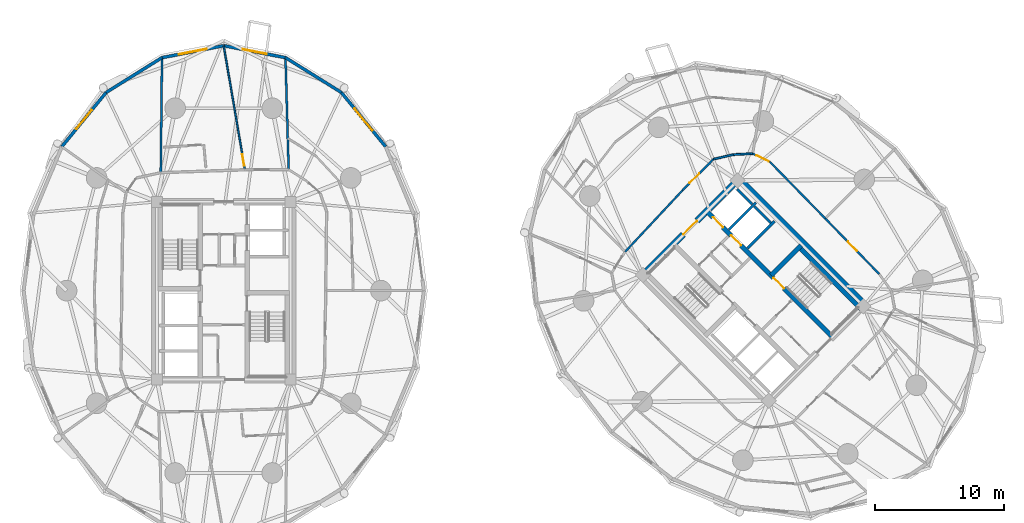
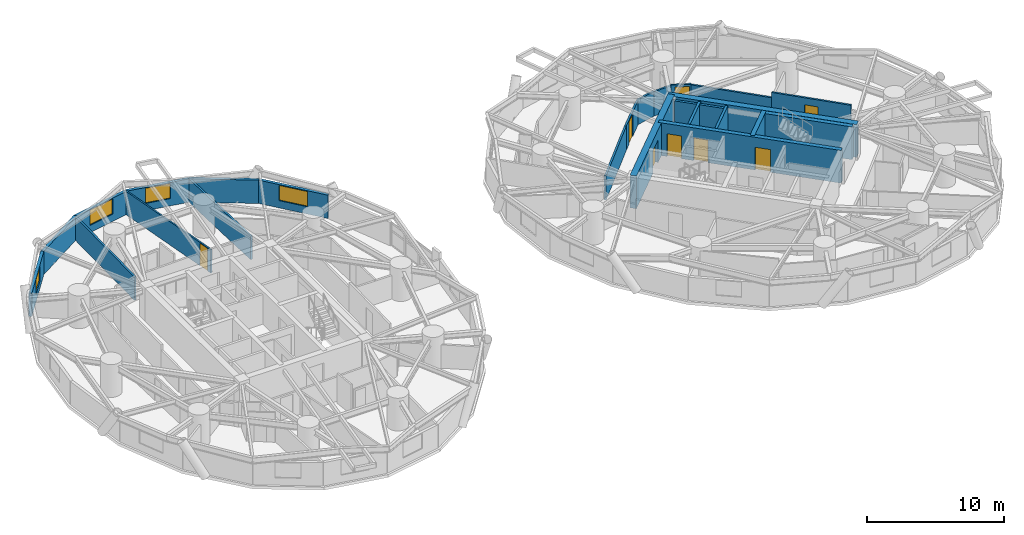
# One storey, part 14 of 18: 25 walls, 8 doors, 4 windows, 12 openings.
"""IFC4 building model written with IfcOpenShell, lengths in metres."""

from ifc_helpers import new_model, si_unit, direction, frame, frame_2d, origin, place, context, subcontext, project, spatial, rectangle, extrude, source, transform, mapped, material, layer, layer_set, type_object, element, fill, save


model = new_model("IFC4")

# Units and contexts
model_context = context("Model", 3, precision=1e-05, world=origin(), true_north=direction((0.0, 1.0)))
body_context = subcontext(model_context, "Body", "Model", "MODEL_VIEW")
ifc_project = project(units=[si_unit("LENGTHUNIT", "METRE"), si_unit("AREAUNIT", "SQUARE_METRE"), si_unit("VOLUMEUNIT", "CUBIC_METRE"), si_unit("PLANEANGLEUNIT", "RADIAN"), si_unit("MASSUNIT", "GRAM", prefix="KILO")], contexts=[model_context])

# Site, building, storey
site_placement = place(None, origin())
site = spatial("IfcSite", under=ifc_project, at=site_placement, CompositionType="ELEMENT")
building_placement = place(site_placement, origin())
building = spatial("IfcBuilding", under=site, at=building_placement, Name="Cununo Teusaquillo Station Towers", CompositionType="ELEMENT")
storey_placement = place(building_placement, frame((0.0, 0.0, 45.280029296875)))
storey = spatial("IfcBuildingStorey", under=building, at=storey_placement, Name="L13", CompositionType="ELEMENT", Elevation=45.280029296875)

# Walls
ifc_material_1 = material(Name="Concrete C50/60", Category="concrete")
ifc_layer_1 = layer(ifc_material_1, 0.199951171875)
ifc_layer_set_1 = layer_set([ifc_layer_1], Name="Concrete C50/60")
wall_type_1 = type_object("IfcWallType", Name="WL-CORE-200", PredefinedType="SHEAR", material=ifc_layer_set_1)
wall_1_placement = place(storey_placement, frame((57.0615234375, 27.781005859375, 0.0), z_axis=(0.0, 0.0, 1.0), x_axis=(0.707106781187, 0.707106781187, 0.0)))
element("IfcWall", 1, at=wall_1_placement, inside=storey, type_object=wall_type_1, Name="L13 Tower B Low-Rise Lift Hoistway South Shear Wall", PredefinedType="SHEAR", context=body_context, shape_type="SweptSolid", body=[
    extrude(rectangle(XDim=2.969970703125, YDim=0.199951171875, at=frame_2d((1.48486328125, 0.0))), origin(), (0.0, 0.0, 1.0), 2.909912109375),
])
wall_2_placement = place(storey_placement, frame((55.615478515625, 29.22705078125, 0.0), z_axis=(0.0, 0.0, 1.0), x_axis=(0.707147878904, 0.70706568108, 0.0)))
element("IfcWall", 2, at=wall_2_placement, inside=storey, type_object=wall_type_1, Name="L13 Tower B Low-Rise Lift Hoistway Divider Shear Wall", PredefinedType="SHEAR", context=body_context, shape_type="SweptSolid", body=[
    extrude(rectangle(XDim=2.97021484375, YDim=0.199951171875, at=frame_2d((1.485107421875, 0.0))), origin(), (0.0, 0.0, 1.0), 2.909912109375),
])
wall_3_placement = place(storey_placement, frame((58.86474609375, 29.75390625, 0.0), z_axis=(0.0, 0.0, 1.0), x_axis=(-0.707174411312, 0.707039144592, 0.0)))
element("IfcWall", 3, at=wall_3_placement, inside=storey, type_object=wall_type_1, Name="L13 Tower B Low-Rise Lift 1 Shaft Rear Shear Wall", PredefinedType="SHEAR", context=body_context, shape_type="SweptSolid", body=[
    extrude(rectangle(XDim=1.804931640625, YDim=0.199951171875, at=frame_2d((0.90234375, 0.0))), origin(), (0.0, 0.0, 1.0), 2.909912109375),
])
wall_4_placement = place(storey_placement, frame((57.418701171875, 31.19970703125, 0.0), z_axis=(0.0, 0.0, 1.0), x_axis=(-0.707032117043, 0.707181437447, 0.0)))
element("IfcWall", 4, at=wall_4_placement, inside=storey, type_object=wall_type_1, Name="L13 Tower B Low-Rise Lift 2 Shaft Rear Shear Wall", PredefinedType="SHEAR", context=body_context, shape_type="SweptSolid", body=[
    extrude(rectangle(XDim=1.635009765625, YDim=0.199951171875, at=frame_2d((0.8173828125, 0.0))), origin(), (0.0, 0.0, 1.0), 2.909912109375),
])

# Wall, openings, doors
ifc_material_2 = material(Name="Concrete C50/60", Category="concrete")
ifc_layer_2 = layer(ifc_material_2, 0.35009765625)
ifc_layer_set_2 = layer_set([ifc_layer_2], Name="Concrete C50/60")
wall_type_2 = type_object("IfcWallType", Name="WL-CORE-350", PredefinedType="SHEAR", material=ifc_layer_set_2)
wall_5_placement = place(storey_placement, frame((63.662353515625, 20.904296875, 0.0), z_axis=(0.0, 0.0, 1.0), x_axis=(-0.707106781187, 0.707106781187, 0.0)))
wall_5 = element("IfcWall", 5, at=wall_5_placement, inside=storey, type_object=wall_type_2, Name="L13 Tower B Core Shear Wall IE", PredefinedType="SHEAR", context=body_context, shape_type="SweptSolid", body=[
    extrude(rectangle(XDim=13.800048828125, YDim=0.35009765625, at=frame_2d((6.89990234375, 0.0))), origin(), (0.0, 0.0, 1.0), 2.909912109375),
])
shared_shape_1 = source(origin(), body_context, "Body", "SweptSolid", [
    extrude(rectangle(XDim=1.10009765625, YDim=2.014892578125, at=frame_2d((0.550048828125, 1.00732421875))), frame((0.0, 0.18505859375, 0.0), z_axis=(0.0, -1.0, 0.0), x_axis=(1.0, 0.0, 0.0)), (0.0, 0.0, 1.0), 0.3701171875),
])
opening_1_placement = place(wall_5_placement, frame((10.02490234375, 0.0, 0.0)))
opening_1 = element("IfcOpeningElement", 6, at=opening_1_placement, cuts=wall_5, Name="Opening LD-01", PredefinedType="OPENING", context=body_context, shape_type="MappedRepresentation", body=[
    mapped(shared_shape_1, transform((0.0, 0.0, 0.0), x_axis=(1.0, 0.0, 0.0), y_axis=(0.0, 1.0, 0.0), z_axis=(0.0, 0.0, 1.0), scale=1.0)),
])
opening_2_placement = place(wall_5_placement, frame((12.02490234375, 0.0, 0.0)))
opening_2 = element("IfcOpeningElement", 7, at=opening_2_placement, cuts=wall_5, Name="Opening LD-01", PredefinedType="OPENING", context=body_context, shape_type="MappedRepresentation", body=[
    mapped(shared_shape_1, transform((0.0, 0.0, 0.0), x_axis=(1.0, 0.0, 0.0), y_axis=(0.0, 1.0, 0.0), z_axis=(0.0, 0.0, 1.0), scale=1.0)),
])
shared_shape_2 = source(origin(), body_context, "Body", "SweptSolid", [
    extrude(rectangle(XDim=1.14990234375, YDim=2.02001953125, at=frame_2d((0.574951171875, 1.010009765625))), frame((0.0, 0.18505859375, 0.0), z_axis=(0.0, -1.0, 0.0), x_axis=(1.0, 0.0, 0.0)), (0.0, 0.0, 1.0), 0.3701171875),
])
opening_3_placement = place(wall_5_placement, frame((5.330078125, 0.0, 0.0)))
opening_3 = element("IfcOpeningElement", 8, at=opening_3_placement, cuts=wall_5, Name="Opening D-ST1", PredefinedType="OPENING", context=body_context, shape_type="MappedRepresentation", body=[
    mapped(shared_shape_2, transform((0.0, 0.0, 0.0), x_axis=(1.0, 0.0, 0.0), y_axis=(0.0, 1.0, 0.0), z_axis=(0.0, 0.0, 1.0), scale=1.0)),
])
ifc_material_3 = material(Name="Galvanised fire-rated hollow steel door assembly", Category="steel")
door_type_1 = type_object("IfcDoorType", Name="DR-LIFT-1100", OperationType="SLIDING_TO_LEFT", PredefinedType="DOOR", material=ifc_material_3)
shared_shape_3 = source(origin(), body_context, "Body", "SweptSolid", [
    extrude(rectangle(XDim=1.10009765625, YDim=2.014892578125, at=frame_2d((0.550048828125, 1.00732421875))), frame((0.0, 0.02490234375, 0.0), z_axis=(0.0, -1.0, 0.0), x_axis=(1.0, 0.0, 0.0)), (0.0, 0.0, 1.0), 0.050048828125),
])
door_1_placement = place(opening_1_placement, origin())
door_1 = element("IfcDoor", 9, at=door_1_placement, inside=storey, type_object=door_type_1, Name="L13 Lift PL-T2-L1 Sliding Landing Door", OperationType="SLIDING_TO_RIGHT", OverallHeight=2.014892578125, OverallWidth=1.10009765625, PredefinedType="DOOR", context=body_context, shape_type="MappedRepresentation", body=[
    mapped(shared_shape_3, transform((0.0, 0.0, 0.0), x_axis=(1.0, 0.0, 0.0), y_axis=(0.0, 1.0, 0.0), z_axis=(0.0, 0.0, 1.0), scale=1.0)),
])
fill(opening_1, door_1)
door_2_placement = place(opening_2_placement, origin())
door_2 = element("IfcDoor", 10, at=door_2_placement, inside=storey, type_object=door_type_1, Name="L13 Lift PL-T2-L2 Sliding Landing Door", OperationType="SLIDING_TO_LEFT", OverallHeight=2.014892578125, OverallWidth=1.10009765625, PredefinedType="DOOR", context=body_context, shape_type="MappedRepresentation", body=[
    mapped(shared_shape_3, transform((0.0, 0.0, 0.0), x_axis=(1.0, 0.0, 0.0), y_axis=(0.0, 1.0, 0.0), z_axis=(0.0, 0.0, 1.0), scale=1.0)),
])
fill(opening_2, door_2)
ifc_material_4 = material(Name="Galvanised fire-rated hollow steel door assembly", Category="steel")
door_type_2 = type_object("IfcDoorType", Name="DR-STAIR-1150", OperationType="NOTDEFINED", PredefinedType="DOOR", material=ifc_material_4)
shared_shape_4 = source(origin(), body_context, "Body", "SweptSolid", [
    extrude(rectangle(XDim=1.14990234375, YDim=2.02001953125, at=frame_2d((0.574951171875, 1.010009765625))), frame((0.0, 0.02490234375, 0.0), z_axis=(0.0, -1.0, 0.0), x_axis=(1.0, 0.0, 0.0)), (0.0, 0.0, 1.0), 0.050048828125),
])
door_3_placement = place(opening_3_placement, origin())
door_3 = element("IfcDoor", 11, at=door_3_placement, inside=storey, type_object=door_type_2, Name="L13 Tower B Exit Stair 2 Fire Door", OperationType="SINGLE_SWING_LEFT", OverallHeight=2.02001953125, OverallWidth=1.14990234375, PredefinedType="DOOR", context=body_context, shape_type="MappedRepresentation", body=[
    mapped(shared_shape_4, transform((0.0, 0.0, 0.0), x_axis=(1.0, 0.0, 0.0), y_axis=(0.0, 1.0, 0.0), z_axis=(0.0, 0.0, 1.0), scale=1.0)),
])
fill(opening_3, door_3)

# Walls
wall_6_placement = place(storey_placement, frame((65.847412109375, 23.08935546875, 0.0), z_axis=(0.0, 0.0, 1.0), x_axis=(-0.707106781187, 0.707106781187, 0.0)))
element("IfcWall", 12, at=wall_6_placement, inside=storey, type_object=wall_type_2, Name="L13 Tower B Core Shear Wall ST2E", PredefinedType="SHEAR", context=body_context, shape_type="SweptSolid", body=[
    extrude(rectangle(XDim=6.7451171875, YDim=0.35009765625, at=frame_2d((3.37255859375, 0.0))), origin(), (0.0, 0.0, 1.0), 2.909912109375),
])
wall_7_placement = place(storey_placement, frame((58.89306640625, 25.673828125, 0.0), z_axis=(0.0, 0.0, 1.0), x_axis=(0.707106781187, 0.707106781187, 0.0)))
element("IfcWall", 13, at=wall_7_placement, inside=storey, type_object=wall_type_2, Name="L13 Tower B Core Shear Wall ST2N", PredefinedType="SHEAR", context=body_context, shape_type="SweptSolid", body=[
    extrude(rectangle(XDim=3.284912109375, YDim=0.35009765625, at=frame_2d((1.642578125, 0.0))), origin(), (0.0, 0.0, 1.0), 2.909912109375),
])
ifc_material_5 = material(Name="Concrete C60/75", Category="concrete")
ifc_layer_3 = layer(ifc_material_5, 0.5)
ifc_layer_set_3 = layer_set([ifc_layer_3], Name="Concrete C60/75")
wall_type_3 = type_object("IfcWallType", Name="WL-CORE-500", PredefinedType="SHEAR", material=ifc_layer_set_3)
wall_8_placement = place(storey_placement, frame((66.3388671875, 23.227294921875, 0.0), z_axis=(0.0, 0.0, 1.0), x_axis=(-0.707106781187, 0.707106781187, 0.0)))
element("IfcWall", 14, at=wall_8_placement, inside=storey, type_object=wall_type_3, Name="L13 Tower B Core Shear Wall E", PredefinedType="SHEAR", context=body_context, shape_type="SweptSolid", body=[
    extrude(rectangle(XDim=14.2998046875, YDim=0.5, at=frame_2d((7.14990234375, 0.0))), origin(), (0.0, 0.0, 1.0), 2.909912109375),
])

# Wall, opening, door
wall_9_placement = place(storey_placement, frame((48.837890625, 25.595947265625, 0.0), z_axis=(0.0, 0.0, 1.0), x_axis=(0.707106781187, 0.707106781187, 0.0)))
wall_9 = element("IfcWall", 15, at=wall_9_placement, inside=storey, type_object=wall_type_3, Name="L13 Tower B Core Shear Wall N", PredefinedType="SHEAR", context=body_context, shape_type="SweptSolid", body=[
    extrude(rectangle(XDim=10.7001953125, YDim=0.5, at=frame_2d((5.35009765625, 0.0))), origin(), (0.0, 0.0, 1.0), 2.909912109375),
])
shared_shape_5 = source(origin(), body_context, "Body", "SweptSolid", [
    extrude(rectangle(XDim=1.5, YDim=2.02001953125, at=frame_2d((0.75, 1.010009765625))), frame((0.0, 0.260009765625, 0.0), z_axis=(0.0, -1.0, 0.0), x_axis=(1.0, 0.0, 0.0)), (0.0, 0.0, 1.0), 0.52001953125),
])
opening_4_placement = place(wall_9_placement, frame((4.60009765625, 0.0, 0.0)))
opening_4 = element("IfcOpeningElement", 16, at=opening_4_placement, cuts=wall_9, Name="Opening D-LB1", PredefinedType="OPENING", context=body_context, shape_type="MappedRepresentation", body=[
    mapped(shared_shape_5, transform((0.0, 0.0, 0.0), x_axis=(1.0, 0.0, 0.0), y_axis=(0.0, 1.0, 0.0), z_axis=(0.0, 0.0, 1.0), scale=1.0)),
])
ifc_material_6 = material(Name="Galvanised fire-rated hollow steel door assembly", Category="steel")
door_type_3 = type_object("IfcDoorType", Name="DR-LOBBY-1500", OperationType="DOUBLE_DOOR_SINGLE_SWING", PredefinedType="DOOR", material=ifc_material_6)
shared_shape_6 = source(origin(), body_context, "Body", "SweptSolid", [
    extrude(rectangle(XDim=1.5, YDim=2.02001953125, at=frame_2d((0.75, 1.010009765625))), frame((0.0, 0.02490234375, 0.0), z_axis=(0.0, -1.0, 0.0), x_axis=(1.0, 0.0, 0.0)), (0.0, 0.0, 1.0), 0.050048828125),
])
door_4_placement = place(opening_4_placement, origin())
door_4 = element("IfcDoor", 17, at=door_4_placement, inside=storey, type_object=door_type_3, Name="L13 Tower B North Core Lift Lobby Door", OperationType="DOUBLE_DOOR_SINGLE_SWING", OverallHeight=2.02001953125, OverallWidth=1.5, PredefinedType="DOOR", context=body_context, shape_type="MappedRepresentation", body=[
    mapped(shared_shape_6, transform((0.0, 0.0, 0.0), x_axis=(1.0, 0.0, 0.0), y_axis=(0.0, 1.0, 0.0), z_axis=(0.0, 0.0, 1.0), scale=1.0)),
])
fill(opening_4, door_4)

# Wall, opening, window
ifc_material_7 = material(Name="Precast concrete C40/50", Category="concrete")
ifc_layer_4 = layer(ifc_material_7, 0.239990234375)
ifc_layer_set_4 = layer_set([ifc_layer_4], Name="Precast concrete C40/50")
wall_type_4 = type_object("IfcWallType", Name="WL-EXT-240", PredefinedType="SOLIDWALL", material=ifc_layer_set_4)
wall_10_placement = place(storey_placement, frame((25.610107421875, 39.84716796875, 0.0), z_axis=(0.0, 0.0, 1.0), x_axis=(0.632710215588, -0.774388651189, 0.0)))
wall_10 = element("IfcWall", 18, at=wall_10_placement, inside=storey, type_object=wall_type_4, Name="L13 Tower A Exterior Facade Wall C02", PredefinedType="SOLIDWALL", context=body_context, shape_type="SweptSolid", body=[
    extrude(rectangle(XDim=5.41943359375, YDim=0.239990234375, at=frame_2d((2.709716796875, 0.0))), origin(), (0.0, 0.0, 1.0), 2.072998046875),
])
shared_shape_7 = source(origin(), body_context, "Body", "SweptSolid", [
    extrude(rectangle(XDim=2.199951171875, YDim=1.35009765625, at=frame_2d((1.10009765625, 0.675048828125))), frame((0.0, 0.1298828125, 0.0), z_axis=(0.0, -1.0, 0.0), x_axis=(1.0, 0.0, 0.0)), (0.0, 0.0, 1.0), 0.260009765625),
])
opening_5_placement = place(wall_10_placement, frame((1.610107421875, 0.0, 0.64990234375)))
opening_5 = element("IfcOpeningElement", 19, at=opening_5_placement, cuts=wall_10, Name="Opening WN-01", PredefinedType="OPENING", context=body_context, shape_type="MappedRepresentation", body=[
    mapped(shared_shape_7, transform((0.0, 0.0, 0.0), x_axis=(1.0, 0.0, 0.0), y_axis=(0.0, 1.0, 0.0), z_axis=(0.0, 0.0, 1.0), scale=1.0)),
])
ifc_material_8 = material(Name="Ceramic-fritted dark low-E double glazing", Category="glass")
window_type_1 = type_object("IfcWindowType", Name="WIN-FRIT-2200", PartitioningType="DOUBLE_PANEL_VERTICAL", PredefinedType="WINDOW", material=ifc_material_8)
shared_shape_8 = source(origin(), body_context, "Body", "SweptSolid", [
    extrude(rectangle(XDim=2.199951171875, YDim=1.35009765625, at=frame_2d((1.10009765625, 0.675048828125))), frame((0.0, 0.030029296875, 0.0), z_axis=(0.0, -1.0, 0.0), x_axis=(1.0, 0.0, 0.0)), (0.0, 0.0, 1.0), 0.06005859375),
])
window_1_placement = place(opening_5_placement, origin())
window_1 = element("IfcWindow", 20, at=window_1_placement, inside=storey, type_object=window_type_1, Name="L13 Tower A Facade Window C02", OverallHeight=1.35009765625, OverallWidth=2.199951171875, PartitioningType="DOUBLE_PANEL_VERTICAL", PredefinedType="WINDOW", context=body_context, shape_type="MappedRepresentation", body=[
    mapped(shared_shape_8, transform((0.0, 0.0, 0.0), x_axis=(1.0, 0.0, 0.0), y_axis=(0.0, 1.0, 0.0), z_axis=(0.0, 0.0, 1.0), scale=1.0)),
])
fill(opening_5, window_1)

# Wall
wall_11_placement = place(storey_placement, frame((21.28955078125, 42.54150390625, 0.0), z_axis=(0.0, 0.0, 1.0), x_axis=(0.848528534887, -0.529149624853, 0.0)))
element("IfcWall", 21, at=wall_11_placement, inside=storey, type_object=wall_type_4, Name="L13 Tower A Exterior Facade Wall C03", PredefinedType="SOLIDWALL", context=body_context, shape_type="SweptSolid", body=[
    extrude(rectangle(XDim=5.091796875, YDim=0.239990234375, at=frame_2d((2.5458984375, 0.0))), origin(), (0.0, 0.0, 1.0), 2.072998046875),
])

# Wall, opening, window
wall_12_placement = place(storey_placement, frame((16.5, 43.469970703125, 0.0), z_axis=(0.0, 0.0, 1.0), x_axis=(0.981724094622, -0.190309752872, 0.0)))
wall_12 = element("IfcWall", 22, at=wall_12_placement, inside=storey, type_object=wall_type_4, Name="L13 Tower A Exterior Facade Wall C04", PredefinedType="SOLIDWALL", context=body_context, shape_type="SweptSolid", body=[
    extrude(rectangle(XDim=4.878662109375, YDim=0.239990234375, at=frame_2d((2.439453125, 0.0))), origin(), (0.0, 0.0, 1.0), 2.072998046875),
])
shared_shape_9 = source(origin(), body_context, "Body", "SweptSolid", [
    extrude(rectangle(XDim=1.89990234375, YDim=1.35009765625, at=frame_2d((0.949951171875, 0.675048828125))), frame((0.0, 0.1298828125, 0.0), z_axis=(0.0, -1.0, 0.0), x_axis=(1.0, 0.0, 0.0)), (0.0, 0.0, 1.0), 0.260009765625),
])
opening_6_placement = place(wall_12_placement, frame((1.489013671875, 0.0, 0.64990234375)))
opening_6 = element("IfcOpeningElement", 23, at=opening_6_placement, cuts=wall_12, Name="Opening WN-02", PredefinedType="OPENING", context=body_context, shape_type="MappedRepresentation", body=[
    mapped(shared_shape_9, transform((0.0, 0.0, 0.0), x_axis=(1.0, 0.0, 0.0), y_axis=(0.0, 1.0, 0.0), z_axis=(0.0, 0.0, 1.0), scale=1.0)),
])
ifc_material_9 = material(Name="Operable acoustic tinted low-E double glazing", Category="glass")
window_type_2 = type_object("IfcWindowType", Name="WIN-OPER-1900", PartitioningType="DOUBLE_PANEL_VERTICAL", PredefinedType="WINDOW", material=ifc_material_9)
shared_shape_10 = source(origin(), body_context, "Body", "SweptSolid", [
    extrude(rectangle(XDim=1.89990234375, YDim=1.35009765625, at=frame_2d((0.949951171875, 0.675048828125))), frame((0.0, 0.030029296875, 0.0), z_axis=(0.0, -1.0, 0.0), x_axis=(1.0, 0.0, 0.0)), (0.0, 0.0, 1.0), 0.06005859375),
])
window_2_placement = place(opening_6_placement, origin())
window_2 = element("IfcWindow", 24, at=window_2_placement, inside=storey, type_object=window_type_2, Name="L13 Tower A Facade Window C04", OverallHeight=1.35009765625, OverallWidth=1.89990234375, PartitioningType="DOUBLE_PANEL_VERTICAL", PredefinedType="WINDOW", context=body_context, shape_type="MappedRepresentation", body=[
    mapped(shared_shape_10, transform((0.0, 0.0, 0.0), x_axis=(1.0, 0.0, 0.0), y_axis=(0.0, 1.0, 0.0), z_axis=(0.0, 0.0, 1.0), scale=1.0)),
])
fill(opening_6, window_2)

wall_13_placement = place(storey_placement, frame((11.71044921875, 42.54150390625, 0.0), z_axis=(0.0, 0.0, 1.0), x_axis=(0.981724094622, 0.190309752872, 0.0)))
wall_13 = element("IfcWall", 25, at=wall_13_placement, inside=storey, type_object=wall_type_4, Name="L13 Tower A Exterior Facade Wall C05", PredefinedType="SOLIDWALL", context=body_context, shape_type="SweptSolid", body=[
    extrude(rectangle(XDim=4.878662109375, YDim=0.239990234375, at=frame_2d((2.439453125, 0.0))), origin(), (0.0, 0.0, 1.0), 2.072998046875),
])
opening_7_placement = place(wall_13_placement, frame((1.339111328125, 0.0, 0.64990234375)))
opening_7 = element("IfcOpeningElement", 26, at=opening_7_placement, cuts=wall_13, Name="Opening WN-01", PredefinedType="OPENING", context=body_context, shape_type="MappedRepresentation", body=[
    mapped(shared_shape_7, transform((0.0, 0.0, 0.0), x_axis=(1.0, 0.0, 0.0), y_axis=(0.0, 1.0, 0.0), z_axis=(0.0, 0.0, 1.0), scale=1.0)),
])
window_3_placement = place(opening_7_placement, origin())
window_3 = element("IfcWindow", 27, at=window_3_placement, inside=storey, type_object=window_type_1, Name="L13 Tower A Facade Window C05", OverallHeight=1.35009765625, OverallWidth=2.199951171875, PartitioningType="DOUBLE_PANEL_VERTICAL", PredefinedType="WINDOW", context=body_context, shape_type="MappedRepresentation", body=[
    mapped(shared_shape_8, transform((0.0, 0.0, 0.0), x_axis=(1.0, 0.0, 0.0), y_axis=(0.0, 1.0, 0.0), z_axis=(0.0, 0.0, 1.0), scale=1.0)),
])
fill(opening_7, window_3)

# Wall
wall_14_placement = place(storey_placement, frame((7.389892578125, 39.84716796875, 0.0), z_axis=(0.0, 0.0, 1.0), x_axis=(0.848528534887, 0.529149624853, 0.0)))
element("IfcWall", 28, at=wall_14_placement, inside=storey, type_object=wall_type_4, Name="L13 Tower A Exterior Facade Wall C06", PredefinedType="SOLIDWALL", context=body_context, shape_type="SweptSolid", body=[
    extrude(rectangle(XDim=5.091796875, YDim=0.239990234375, at=frame_2d((2.5458984375, 0.0))), origin(), (0.0, 0.0, 1.0), 2.072998046875),
])

# Wall, opening, window
wall_15_placement = place(storey_placement, frame((3.9609375, 35.650390625, 0.0), z_axis=(0.0, 0.0, 1.0), x_axis=(0.632710215588, 0.774388651189, 0.0)))
wall_15 = element("IfcWall", 29, at=wall_15_placement, inside=storey, type_object=wall_type_4, Name="L13 Tower A Exterior Facade Wall C07", PredefinedType="SOLIDWALL", context=body_context, shape_type="SweptSolid", body=[
    extrude(rectangle(XDim=5.41943359375, YDim=0.239990234375, at=frame_2d((2.709716796875, 0.0))), origin(), (0.0, 0.0, 1.0), 2.072998046875),
])
opening_8_placement = place(wall_15_placement, frame((1.760009765625, 0.0, 0.64990234375)))
opening_8 = element("IfcOpeningElement", 30, at=opening_8_placement, cuts=wall_15, Name="Opening WN-02", PredefinedType="OPENING", context=body_context, shape_type="MappedRepresentation", body=[
    mapped(shared_shape_9, transform((0.0, 0.0, 0.0), x_axis=(1.0, 0.0, 0.0), y_axis=(0.0, 1.0, 0.0), z_axis=(0.0, 0.0, 1.0), scale=1.0)),
])
window_4_placement = place(opening_8_placement, origin())
window_4 = element("IfcWindow", 31, at=window_4_placement, inside=storey, type_object=window_type_2, Name="L13 Tower A Facade Window C07", OverallHeight=1.35009765625, OverallWidth=1.89990234375, PartitioningType="DOUBLE_PANEL_VERTICAL", PredefinedType="WINDOW", context=body_context, shape_type="MappedRepresentation", body=[
    mapped(shared_shape_10, transform((0.0, 0.0, 0.0), x_axis=(1.0, 0.0, 0.0), y_axis=(0.0, 1.0, 0.0), z_axis=(0.0, 0.0, 1.0), scale=1.0)),
])
fill(opening_8, window_4)

# Wall, opening, door
ifc_material_10 = material(Name="Fire-rated gypsum plasterboard partition assembly", Category="gypsum")
ifc_layer_5 = layer(ifc_material_10, 0.125)
ifc_layer_set_5 = layer_set([ifc_layer_5], Name="Fire-rated gypsum plasterboard partition assembly")
wall_type_5 = type_object("IfcWallType", Name="WL-PART-125", PredefinedType="PARTITIONING", material=ifc_layer_set_5)
wall_16_placement = place(storey_placement, frame((18.142822265625, 33.859619140625, 0.0), z_axis=(0.0, 0.0, 1.0), x_axis=(-0.168840545196, 0.985643378864, 0.0)))
wall_16 = element("IfcWall", 32, at=wall_16_placement, inside=storey, type_object=wall_type_5, Name="L13 Tower A Royal Corner Hotel Suite Suite Subdividing Wall", PredefinedType="PARTITIONING", context=body_context, shape_type="SweptSolid", body=[
    extrude(rectangle(XDim=9.72998046875, YDim=0.125, at=frame_2d((4.864990234375, 0.0))), origin(), (0.0, 0.0, 1.0), 2.072998046875),
])
shared_shape_11 = source(origin(), body_context, "Body", "SweptSolid", [
    extrude(rectangle(XDim=0.89990234375, YDim=2.0048828125, at=frame_2d((0.449951171875, 1.00244140625))), frame((0.0, 0.072509765625, 0.0), z_axis=(0.0, -1.0, 0.0), x_axis=(1.0, 0.0, 0.0)), (0.0, 0.0, 1.0), 0.14501953125),
])
opening_9_placement = place(wall_16_placement, frame((0.330078125, 0.0, 0.0)))
opening_9 = element("IfcOpeningElement", 33, at=opening_9_placement, cuts=wall_16, Name="Opening D-IN1", PredefinedType="OPENING", context=body_context, shape_type="MappedRepresentation", body=[
    mapped(shared_shape_11, transform((0.0, 0.0, 0.0), x_axis=(1.0, 0.0, 0.0), y_axis=(0.0, 1.0, 0.0), z_axis=(0.0, 0.0, 1.0), scale=1.0)),
])
ifc_material_11 = material(Name="Acoustic solid-core hardwood leaf assembly", Category="wood")
door_type_4 = type_object("IfcDoorType", Name="DR-INT-900", OperationType="NOTDEFINED", PredefinedType="DOOR", material=ifc_material_11)
shared_shape_12 = source(origin(), body_context, "Body", "SweptSolid", [
    extrude(rectangle(XDim=0.89990234375, YDim=2.0048828125, at=frame_2d((0.449951171875, 1.00244140625))), frame((0.0, 0.02490234375, 0.0), z_axis=(0.0, -1.0, 0.0), x_axis=(1.0, 0.0, 0.0)), (0.0, 0.0, 1.0), 0.050048828125),
])
door_5_placement = place(opening_9_placement, origin())
door_5 = element("IfcDoor", 34, at=door_5_placement, inside=storey, type_object=door_type_4, Name="L13 Tower A Royal Corner Hotel Suite Suite Connecting Door", OperationType="SINGLE_SWING_RIGHT", OverallHeight=2.0048828125, OverallWidth=0.89990234375, PredefinedType="DOOR", context=body_context, shape_type="MappedRepresentation", body=[
    mapped(shared_shape_12, transform((0.0, 0.0, 0.0), x_axis=(1.0, 0.0, 0.0), y_axis=(0.0, 1.0, 0.0), z_axis=(0.0, 0.0, 1.0), scale=1.0)),
])
fill(opening_9, door_5)

# Wall
ifc_material_12 = material(Name="Fire-rated gypsum plasterboard partition assembly", Category="gypsum")
ifc_layer_6 = layer(ifc_material_12, 0.14990234375)
ifc_layer_set_6 = layer_set([ifc_layer_6], Name="Fire-rated gypsum plasterboard partition assembly")
wall_type_6 = type_object("IfcWallType", Name="WL-PART-150", PredefinedType="PARTITIONING", material=ifc_layer_set_6)
wall_17_placement = place(storey_placement, frame((63.086181640625, 30.086181640625, 0.0), z_axis=(0.0, 0.0, 1.0), x_axis=(-0.699075897379, 0.715047473741, 0.0)))
element("IfcWall", 35, at=wall_17_placement, inside=storey, type_object=wall_type_6, Name="L13 Tower B Corridor Ring Wall C00", PredefinedType="PARTITIONING", context=body_context, shape_type="SweptSolid", body=[
    extrude(rectangle(XDim=6.1142578125, YDim=0.14990234375, at=frame_2d((3.05712890625, 0.0))), origin(), (0.0, 0.0, 1.0), 2.158935546875),
])

# Wall, opening, door
wall_18_placement = place(storey_placement, frame((58.811767578125, 34.458251953125, 0.0), z_axis=(0.0, 0.0, 1.0), x_axis=(-0.899559490277, 0.436798264021, 0.0)))
wall_18 = element("IfcWall", 36, at=wall_18_placement, inside=storey, type_object=wall_type_6, Name="L13 Tower B Corridor Ring Wall C01", PredefinedType="PARTITIONING", context=body_context, shape_type="SweptSolid", body=[
    extrude(rectangle(XDim=1.4951171875, YDim=0.14990234375, at=frame_2d((0.74755859375, 0.0))), origin(), (0.0, 0.0, 1.0), 2.205078125),
])
shared_shape_13 = source(origin(), body_context, "Body", "SweptSolid", [
    extrude(rectangle(XDim=1.050048828125, YDim=2.014892578125, at=frame_2d((0.52490234375, 1.00732421875))), frame((0.0, 0.0849609375, 0.0), z_axis=(0.0, -1.0, 0.0), x_axis=(1.0, 0.0, 0.0)), (0.0, 0.0, 1.0), 0.169921875),
])
opening_10_placement = place(wall_18_placement, frame((0.1201171875, 0.0, 0.0)))
opening_10 = element("IfcOpeningElement", 37, at=opening_10_placement, cuts=wall_18, Name="Opening D-SU1", PredefinedType="OPENING", context=body_context, shape_type="MappedRepresentation", body=[
    mapped(shared_shape_13, transform((0.0, 0.0, 0.0), x_axis=(1.0, 0.0, 0.0), y_axis=(0.0, 1.0, 0.0), z_axis=(0.0, 0.0, 1.0), scale=1.0)),
])
ifc_material_13 = material(Name="Acoustic solid-core hardwood leaf assembly", Category="wood")
door_type_5 = type_object("IfcDoorType", Name="DR-SUITE-1050", OperationType="NOTDEFINED", PredefinedType="DOOR", material=ifc_material_13)
shared_shape_14 = source(origin(), body_context, "Body", "SweptSolid", [
    extrude(rectangle(XDim=1.050048828125, YDim=2.014892578125, at=frame_2d((0.52490234375, 1.00732421875))), frame((0.0, 0.02490234375, 0.0), z_axis=(0.0, -1.0, 0.0), x_axis=(1.0, 0.0, 0.0)), (0.0, 0.0, 1.0), 0.050048828125),
])
door_6_placement = place(opening_10_placement, origin())
door_6 = element("IfcDoor", 38, at=door_6_placement, inside=storey, type_object=door_type_5, Name="L13 Tower B Hotel Grand Dining & Tea Lounge Entrance Door", OperationType="SINGLE_SWING_RIGHT", OverallHeight=2.014892578125, OverallWidth=1.050048828125, PredefinedType="DOOR", context=body_context, shape_type="MappedRepresentation", body=[
    mapped(shared_shape_14, transform((0.0, 0.0, 0.0), x_axis=(1.0, 0.0, 0.0), y_axis=(0.0, 1.0, 0.0), z_axis=(0.0, 0.0, 1.0), scale=1.0)),
])
fill(opening_10, door_6)

# Walls
wall_19_placement = place(storey_placement, frame((57.466796875, 35.111328125, 0.0), z_axis=(0.0, 0.0, 1.0), x_axis=(-0.998691757323, -0.051134859488, 0.0)))
element("IfcWall", 39, at=wall_19_placement, inside=storey, type_object=wall_type_6, Name="L13 Tower B Corridor Ring Wall C02", PredefinedType="PARTITIONING", context=body_context, shape_type="SweptSolid", body=[
    extrude(rectangle(XDim=1.48486328125, YDim=0.14990234375, at=frame_2d((0.742431640625, 0.0))), origin(), (0.0, 0.0, 1.0), 2.158935546875),
])
wall_20_placement = place(storey_placement, frame((55.98388671875, 35.035400390625, 0.0), z_axis=(0.0, 0.0, 1.0), x_axis=(-0.975290305708, -0.22092718165, 0.0)))
element("IfcWall", 40, at=wall_20_placement, inside=storey, type_object=wall_type_6, Name="L13 Tower B Corridor Ring Wall C03", PredefinedType="PARTITIONING", context=body_context, shape_type="SweptSolid", body=[
    extrude(rectangle(XDim=1.596923828125, YDim=0.14990234375, at=frame_2d((0.79833984375, 0.0))), origin(), (0.0, 0.0, 1.0), 2.205078125),
])

# Wall, opening, door
wall_21_placement = place(storey_placement, frame((54.426513671875, 34.6826171875, 0.0), z_axis=(0.0, 0.0, 1.0), x_axis=(-0.704178989986, -0.710022499687, 0.0)))
wall_21 = element("IfcWall", 41, at=wall_21_placement, inside=storey, type_object=wall_type_6, Name="L13 Tower B Corridor Ring Wall C04", PredefinedType="PARTITIONING", context=body_context, shape_type="SweptSolid", body=[
    extrude(rectangle(XDim=3.38427734375, YDim=0.14990234375, at=frame_2d((1.692138671875, 0.0))), origin(), (0.0, 0.0, 1.0), 2.158935546875),
])
opening_11_placement = place(wall_21_placement, frame((1.5595703125, 0.0, 0.0)))
opening_11 = element("IfcOpeningElement", 42, at=opening_11_placement, cuts=wall_21, Name="Opening D-SU1", PredefinedType="OPENING", context=body_context, shape_type="MappedRepresentation", body=[
    mapped(shared_shape_13, transform((0.0, 0.0, 0.0), x_axis=(1.0, 0.0, 0.0), y_axis=(0.0, 1.0, 0.0), z_axis=(0.0, 0.0, 1.0), scale=1.0)),
])
door_7_placement = place(opening_11_placement, origin())
door_7 = element("IfcDoor", 43, at=door_7_placement, inside=storey, type_object=door_type_5, Name="L13 Tower B Royal Corner Hotel Suite Entrance Door", OperationType="SINGLE_SWING_LEFT", OverallHeight=2.014892578125, OverallWidth=1.050048828125, PredefinedType="DOOR", context=body_context, shape_type="MappedRepresentation", body=[
    mapped(shared_shape_14, transform((0.0, 0.0, 0.0), x_axis=(1.0, 0.0, 0.0), y_axis=(0.0, 1.0, 0.0), z_axis=(0.0, 0.0, 1.0), scale=1.0)),
])
fill(opening_11, door_7)

# Wall
wall_22_placement = place(storey_placement, frame((52.04345703125, 32.27978515625, 0.0), z_axis=(0.0, 0.0, 1.0), x_axis=(-0.682606081633, -0.730786519661, 0.0)))
element("IfcWall", 44, at=wall_22_placement, inside=storey, type_object=wall_type_6, Name="L13 Tower B Corridor Ring Wall C05", PredefinedType="PARTITIONING", context=body_context, shape_type="SweptSolid", body=[
    extrude(rectangle(XDim=6.526611328125, YDim=0.14990234375, at=frame_2d((3.26318359375, 0.0))), origin(), (0.0, 0.0, 1.0), 2.158935546875),
])

# Wall, opening, door
wall_23_placement = place(storey_placement, frame((67.270263671875, 25.77978515625, 0.0), z_axis=(0.0, 0.0, 1.0), x_axis=(-0.696847842907, 0.717218992942, 0.0)))
wall_23 = element("IfcWall", 45, at=wall_23_placement, inside=storey, type_object=wall_type_6, Name="L13 Tower B Corridor Ring Wall C19", PredefinedType="PARTITIONING", context=body_context, shape_type="SweptSolid", body=[
    extrude(rectangle(XDim=6.00439453125, YDim=0.14990234375, at=frame_2d((3.002197265625, 0.0))), origin(), (0.0, 0.0, 1.0), 2.635009765625),
])
shared_shape_15 = source(origin(), body_context, "Body", "SweptSolid", [
    extrude(rectangle(XDim=1.0, YDim=2.014892578125, at=frame_2d((0.5, 1.00732421875))), frame((0.0, 0.0849609375, 0.0), z_axis=(0.0, -1.0, 0.0), x_axis=(1.0, 0.0, 0.0)), (0.0, 0.0, 1.0), 0.169921875),
])
opening_12_placement = place(wall_23_placement, frame((2.502197265625, 0.0, 0.0)))
opening_12 = element("IfcOpeningElement", 46, at=opening_12_placement, cuts=wall_23, Name="Opening D-AC1", PredefinedType="OPENING", context=body_context, shape_type="MappedRepresentation", body=[
    mapped(shared_shape_15, transform((0.0, 0.0, 0.0), x_axis=(1.0, 0.0, 0.0), y_axis=(0.0, 1.0, 0.0), z_axis=(0.0, 0.0, 1.0), scale=1.0)),
])
ifc_material_14 = material(Name="Acoustic solid-core hardwood leaf assembly", Category="wood")
door_type_6 = type_object("IfcDoorType", Name="DR-ACC-1000", OperationType="NOTDEFINED", PredefinedType="DOOR", material=ifc_material_14)
shared_shape_16 = source(origin(), body_context, "Body", "SweptSolid", [
    extrude(rectangle(XDim=1.0, YDim=2.014892578125, at=frame_2d((0.5, 1.00732421875))), frame((0.0, 0.02490234375, 0.0), z_axis=(0.0, -1.0, 0.0), x_axis=(1.0, 0.0, 0.0)), (0.0, 0.0, 1.0), 0.050048828125),
])
door_8_placement = place(opening_12_placement, origin())
door_8 = element("IfcDoor", 47, at=door_8_placement, inside=storey, type_object=door_type_6, Name="L13 Tower B Public Accessible Restroom WC Entrance Door", OperationType="SINGLE_SWING_LEFT", OverallHeight=2.014892578125, OverallWidth=1.0, PredefinedType="DOOR", context=body_context, shape_type="MappedRepresentation", body=[
    mapped(shared_shape_16, transform((0.0, 0.0, 0.0), x_axis=(1.0, 0.0, 0.0), y_axis=(0.0, 1.0, 0.0), z_axis=(0.0, 0.0, 1.0), scale=1.0)),
])
fill(opening_12, door_8)

# Walls
ifc_material_15 = material(Name="Fire-rated gypsum plasterboard partition assembly", Category="gypsum")
ifc_layer_7 = layer(ifc_material_15, 0.159912109375)
ifc_layer_set_7 = layer_set([ifc_layer_7], Name="Fire-rated gypsum plasterboard partition assembly")
wall_type_7 = type_object("IfcWallType", Name="WL-PART-160", PredefinedType="PARTITIONING", material=ifc_layer_set_7)
wall_24_placement = place(storey_placement, frame((21.52685546875, 33.873291015625, 0.0), z_axis=(0.0, 0.0, 1.0), x_axis=(-0.028159433134, 0.999603444535, 0.0)))
element("IfcWall", 48, at=wall_24_placement, inside=storey, type_object=wall_type_7, Name="L13 Tower A Radial Suite Partition R02", PredefinedType="PARTITIONING", context=body_context, shape_type="SweptSolid", body=[
    extrude(rectangle(XDim=8.652587890625, YDim=0.159912109375, at=frame_2d((4.326171875, 0.0))), origin(), (0.0, 0.0, 1.0), 2.072998046875),
])
wall_25_placement = place(storey_placement, frame((11.619873046875, 33.63720703125, 0.0), z_axis=(0.0, 0.0, 1.0), x_axis=(0.01090774254, 0.999940508807, 0.0)))
element("IfcWall", 49, at=wall_25_placement, inside=storey, type_object=wall_type_7, Name="L13 Tower A Radial Suite Partition R03", PredefinedType="PARTITIONING", context=body_context, shape_type="SweptSolid", body=[
    extrude(rectangle(XDim=8.8857421875, YDim=0.159912109375, at=frame_2d((4.44287109375, 0.0))), origin(), (0.0, 0.0, 1.0), 2.072998046875),
])

save(model, "model.ifc")
